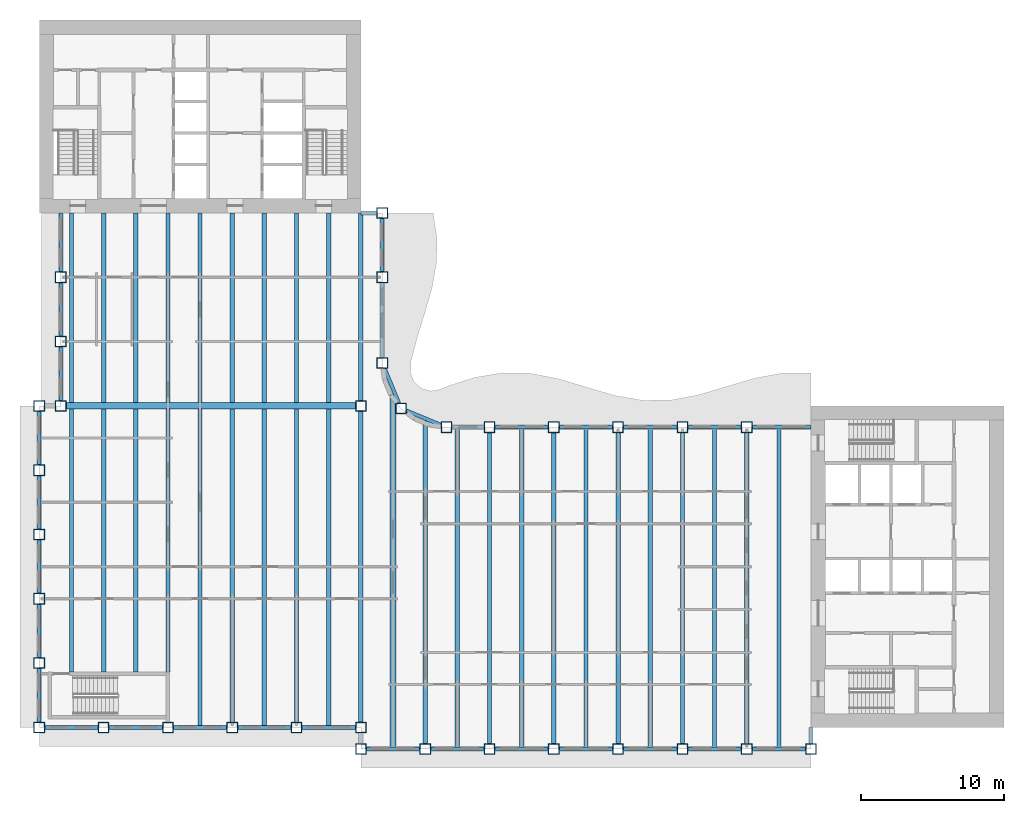
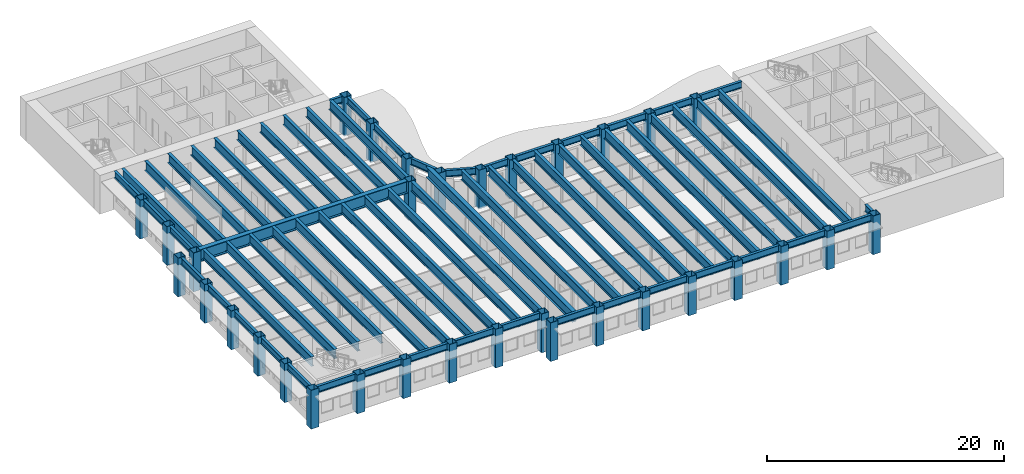
# One storey, part 1 of 17: 66 beams, 33 columns.
"""IFC4 building model written with IfcOpenShell, lengths in metres."""

import ifcopenshell
import ifcopenshell.guid

model = None  # the IFC model being written
_history = None  # IfcOwnerHistory: only IFC2X3 demands one
_inside = {}  # id of a spatial element -> (the spatial element, [elements in it])
_under = {}  # id of a project, library or spatial element -> (it, [spatial elements below it])
_declared = {}  # id of a project -> (the project, [libraries it declares])
_typed = {}  # id of a type object -> (the type object, [elements of that type])
_made_of = {}  # id of a material, layer set ... -> (it, [elements and type objects made of it])


def new_model(schema):
    """Start an empty IFC model of exactly this schema.

    Asked for "IFC4X3", IfcOpenShell would pick the latest addendum, in which some entities
    have other attributes; the version numbers below select the first issue.
    IFC2X3 requires an IfcOwnerHistory on every rooted entity: one is made here for all.
    """
    global model, _history
    if schema == "IFC4X3":
        model = ifcopenshell.file(schema_version=(4, 3, 0, 0))
    else:
        model = ifcopenshell.file(schema=schema)
    _inside.clear()
    _under.clear()
    _declared.clear()
    _typed.clear()
    _made_of.clear()
    _history = None
    if model.schema == "IFC2X3":
        org = make("IfcOrganization", Name="unknown")
        user = make(
            "IfcPersonAndOrganization",
            ThePerson=make("IfcPerson", FamilyName="unknown"),
            TheOrganization=org,
        )
        app = make(
            "IfcApplication",
            ApplicationDeveloper=org,
            Version="unknown",
            ApplicationFullName="unknown",
            ApplicationIdentifier="unknown",
        )
        _history = make(
            "IfcOwnerHistory",
            OwningUser=user,
            OwningApplication=app,
            ChangeAction="ADDED",
            CreationDate=0,
        )
    return model


def make(cls, **values):
    """One entity of the class cls with the attributes given. An attribute that is None is left unset."""
    return model.create_entity(
        cls, **{name: value for name, value in values.items() if value is not None}
    )


def rooted(cls, **values):
    """An entity with a GlobalId (a new one), such as an element, a storey or a relation."""
    return make(cls, GlobalId=ifcopenshell.guid.new(), OwnerHistory=_history, **values)


def si_unit(unit_type, name, prefix=None):
    """IfcSIUnit, for example si_unit("LENGTHUNIT", "METRE", prefix="MILLI")."""
    return make("IfcSIUnit", UnitType=unit_type, Prefix=prefix, Name=name)


def assignment(units):
    """IfcUnitAssignment: the units of a project."""
    return None if units is None else make("IfcUnitAssignment", Units=units)


def point(xyz):
    """IfcCartesianPoint."""
    return None if xyz is None else make("IfcCartesianPoint", Coordinates=xyz)


def direction(xyz):
    """IfcDirection."""
    return None if xyz is None else make("IfcDirection", DirectionRatios=xyz)


def frame(location, z_axis=None, x_axis=None):
    """IfcAxis2Placement3D, a coordinate frame: its origin and axes. An axis left out is left unset."""
    return make(
        "IfcAxis2Placement3D",
        Location=point(location),
        Axis=direction(z_axis),
        RefDirection=direction(x_axis),
    )


def frame_2d(location, x_axis=None):
    """IfcAxis2Placement2D, a coordinate frame in the plane: its origin and x axis."""
    return make(
        "IfcAxis2Placement2D", Location=point(location), RefDirection=direction(x_axis)
    )


def origin():
    """The frame at (0, 0, 0) with its axes left unset."""
    return frame((0.0, 0.0, 0.0))


def origin_2d():
    """The frame at (0, 0) in the plane with its x axis left unset."""
    return frame_2d((0.0, 0.0))


def place(relative_to, where):
    """IfcLocalPlacement: puts the frame where relative to a parent placement (None: the world)."""
    return make(
        "IfcLocalPlacement", PlacementRelTo=relative_to, RelativePlacement=where
    )


def context(
    kind, dimensions, precision=None, world=None, true_north=None, identifier=None
):
    """IfcGeometricRepresentationContext, for example the 3D "Model" context."""
    return make(
        "IfcGeometricRepresentationContext",
        ContextIdentifier=identifier,
        ContextType=kind,
        CoordinateSpaceDimension=dimensions,
        Precision=precision,
        WorldCoordinateSystem=world,
        TrueNorth=true_north,
    )


def subcontext(parent, identifier, kind, view, scale=None):
    """IfcGeometricRepresentationSubContext, for example "Body" below "Model"."""
    return make(
        "IfcGeometricRepresentationSubContext",
        ContextIdentifier=identifier,
        ContextType=kind,
        ParentContext=parent,
        TargetScale=scale,
        TargetView=view,
    )


def project(units=None, contexts=None):
    """IfcProject with its units and contexts."""
    return rooted(
        "IfcProject",
        Name="project",
        RepresentationContexts=contexts,
        UnitsInContext=assignment(units),
    )


def spatial(cls, under=None, at=None, **own):
    """A site, building, storey or space (cls), placed at a placement, below another one or the project."""
    s = rooted(cls, ObjectPlacement=at, **own)
    if under is not None:
        _under.setdefault(under.id(), (under, []))[1].append(s)
    return s


def profile(cls, at=None, kind="AREA", **sizes):
    """A parametric profile (cls). Its sizes go by their IFC names, for example OverallWidth=200.0."""
    return make(cls, ProfileType=kind, Position=at, **sizes)


def hollow_rectangle(**sizes):
    """IfcRectangleHollowProfileDef."""
    return profile("IfcRectangleHollowProfileDef", **sizes)


def i_section(**sizes):
    """IfcIShapeProfileDef."""
    return profile("IfcIShapeProfileDef", **sizes)


def extrude(swept, where, along, depth):
    """IfcExtrudedAreaSolid: the profile swept, set in the frame where, extruded along a direction by depth."""
    return make(
        "IfcExtrudedAreaSolid",
        SweptArea=swept,
        Position=where,
        ExtrudedDirection=direction(along),
        Depth=depth,
    )


def shape(context_of_items, identifier, shape_type, items):
    """IfcShapeRepresentation: the items that make up one representation, for example the "Body"."""
    return make(
        "IfcShapeRepresentation",
        ContextOfItems=context_of_items,
        RepresentationIdentifier=identifier,
        RepresentationType=shape_type,
        Items=items,
    )


def material(Name=None, Category=None):
    """IfcMaterial."""
    return make("IfcMaterial", Name=Name, Category=Category)


def material_profile(
    of_material, cross_section, Name=None, Category=None, Priority=None
):
    """IfcMaterialProfile: a cross section and its material."""
    return make(
        "IfcMaterialProfile",
        Name=Name,
        Material=of_material,
        Profile=cross_section,
        Priority=Priority,
        Category=Category,
    )


def profile_set(profiles, Name=None, composite=None):
    """IfcMaterialProfileSet."""
    return make(
        "IfcMaterialProfileSet",
        Name=Name,
        MaterialProfiles=profiles,
        CompositeProfile=composite,
    )


def made_of(thing, what):
    """Note that an element or type object is made of a material, layer set ...; save() writes the relation."""
    if what is not None:
        _made_of.setdefault(what.id(), (what, []))[1].append(thing)
    return thing


def type_object(cls, material=None, **own):
    """A type object (cls), such as IfcWallType, which elements share."""
    return made_of(rooted(cls, **own), material)


def element(
    cls,
    number,
    at=None,
    inside=None,
    cuts=None,
    type_object=None,
    material=None,
    context=None,
    identifier="Body",
    shape_type=None,
    held_by="IfcProductDefinitionShape",
    body=None,
    shapes=None,
    **own,
):
    """One element of the class cls, such as IfcWall. Its Tag is "e" and its number.

    at: its placement. inside: the storey or other place that contains it. cuts: it is an
    opening in that element (IfcRelVoidsElement). A single representation is given by context,
    identifier, shape_type and body (its items); several are given by shapes. held_by: the class
    of the entity that holds the representations. save() writes the other relations.
    """
    e = rooted(cls, Tag="e%d" % number, ObjectPlacement=at, **own)
    if body is not None:
        shapes = [shape(context, identifier, shape_type, body)]
    if shapes is not None:
        e.Representation = make(held_by, Representations=shapes)
    if inside is not None:
        _inside.setdefault(inside.id(), (inside, []))[1].append(e)
    if cuts is not None:
        rooted(
            "IfcRelVoidsElement", RelatingBuildingElement=cuts, RelatedOpeningElement=e
        )
    if type_object is not None:
        _typed.setdefault(type_object.id(), (type_object, []))[1].append(e)
    return made_of(e, material)


def aggregate(whole, parts):
    """IfcRelAggregates: a whole, such as a stair, and the parts it consists of."""
    return rooted("IfcRelAggregates", RelatingObject=whole, RelatedObjects=parts)


def save(model, path):
    """Write the relations noted so far, then the file.

    IfcRelAggregates (storeys below a building ...), IfcRelContainedInSpatialStructure (elements
    in a storey), IfcRelDefinesByType, IfcRelAssociatesMaterial and IfcRelDeclares: one each for
    every whole, place, type object, material and project.
    """
    for whole, parts in _under.values():
        aggregate(whole, parts)
    for where, things in _inside.values():
        rooted(
            "IfcRelContainedInSpatialStructure",
            RelatedElements=things,
            RelatingStructure=where,
        )
    for kind, things in _typed.values():
        rooted("IfcRelDefinesByType", RelatedObjects=things, RelatingType=kind)
    for what, things in _made_of.values():
        rooted("IfcRelAssociatesMaterial", RelatedObjects=things, RelatingMaterial=what)
    for by, libraries in _declared.values():
        rooted("IfcRelDeclares", RelatingContext=by, RelatedDefinitions=libraries)
    model.write(path)


model = new_model("IFC4")

# Units and contexts
model_context = context("Model", 3, precision=1e-05, world=origin(), true_north=direction((0.0, 1.0)))
body_context = subcontext(model_context, "Body", "Model", "MODEL_VIEW")
ifc_project = project(units=[si_unit("LENGTHUNIT", "METRE"), si_unit("AREAUNIT", "SQUARE_METRE"), si_unit("VOLUMEUNIT", "CUBIC_METRE"), si_unit("PLANEANGLEUNIT", "RADIAN"), si_unit("MASSUNIT", "GRAM", prefix="KILO")], contexts=[model_context])

# Site, building, storey
site_placement = place(None, origin())
site = spatial("IfcSite", under=ifc_project, at=site_placement, CompositionType="ELEMENT")
building_placement = place(site_placement, origin())
building = spatial("IfcBuilding", under=site, at=building_placement, Name="Sennacour Bend Tower", CompositionType="ELEMENT")
storey_placement = place(building_placement, frame((0.0, 0.0, 203.0)))
storey = spatial("IfcBuildingStorey", under=building, at=storey_placement, Name="L46", CompositionType="ELEMENT", Elevation=203.0)

# Columns
ifc_material_1 = material(Name="Steel ASTM A572 Grade 50", Category="steel")
ifc_material_profile_1 = material_profile(ifc_material_1, hollow_rectangle(XDim=0.75, YDim=0.75, WallThickness=0.035888671875, at=origin_2d()), Name="Steel ASTM A572 Grade 50", Category="steel")
ifc_profile_set_1 = profile_set([ifc_material_profile_1], Name="Steel ASTM A572 Grade 50")
column_type = type_object("IfcColumnType", Name="Box column 750", PredefinedType="COLUMN", material=ifc_profile_set_1)
for number, where, z_axis, x_axis, name in (
    (1, (0.0, 0.0, -0.14990234375), (0.0, 0.0, 1.0), (1.0, 0.0, 0.0), "Perimeter column C4 L46-001"),
    (2, (0.0, 4.5, -0.14990234375), (0.0, 0.0, 1.0), (1.0, 0.0, 0.0), "Perimeter column C4 L46-002"),
    (3, (0.0, 9.0, -0.14990234375), (0.0, 0.0, 1.0), (1.0, 0.0, 0.0), "Perimeter column C4 L46-003"),
    (4, (0.0, 13.5, -0.14990234375), (0.0, 0.0, 1.0), (1.0, 0.0, 0.0), "Perimeter column C4 L46-004"),
    (5, (0.0, 18.0, -0.14990234375), (0.0, 0.0, 1.0), (1.0, 0.0, 0.0), "Perimeter column C4 L46-005"),
    (6, (0.0, 22.5, -0.14990234375), (0.0, 0.0, 1.0), (1.0, 0.0, 0.0), "Perimeter column C4 L46-006"),
    (7, (1.5, 22.5, -0.14990234375), (0.0, 0.0, 1.0), (1.0, 0.0, 0.0), "Perimeter column C4 L46-007"),
    (8, (1.5, 27.0, -0.14990234375), (0.0, 0.0, 1.0), (1.0, 0.0, 0.0), "Perimeter column C4 L46-008"),
    (9, (1.5, 31.5, -0.14990234375), (0.0, 0.0, 1.0), (1.0, 0.0, 0.0), "Perimeter column C4 L46-009"),
    (10, (4.5, 0.0, -0.14990234375), (0.0, 0.0, 1.0), (1.0, 0.0, 0.0), "Perimeter column C4 L46-010"),
    (11, (9.0, 0.0, -0.14990234375), (0.0, 0.0, 1.0), (1.0, 0.0, 0.0), "Perimeter column C4 L46-011"),
    (12, (13.5, 0.0, -0.14990234375), (0.0, 0.0, 1.0), (1.0, 0.0, 0.0), "Perimeter column C4 L46-012"),
    (13, (18.0, 0.0, -0.14990234375), (0.0, 0.0, 1.0), (1.0, 0.0, 0.0), "Perimeter column C4 L46-013"),
    (14, (22.5, -1.5, -0.14990234375), (0.0, 0.0, 1.0), (1.0, 0.0, 0.0), "Perimeter column C4 L46-014"),
    (15, (22.5, 0.0, -0.14990234375), (0.0, 0.0, 1.0), (1.0, 0.0, 0.0), "Perimeter column C4 L46-015"),
    (16, (22.5, 22.5, -0.14990234375), (0.0, 0.0, 1.0), (1.0, 0.0, 0.0), "Knuckle column C4 L46-016"),
    (17, (24.0, 25.5, -0.14990234375), (0.0, 0.0, 1.0), (1.0, 0.0, 0.0), "Perimeter column C4 L46-017"),
    (18, (24.0, 31.5, -0.14990234375), (0.0, 0.0, 1.0), (1.0, 0.0, 0.0), "Perimeter column C4 L46-018"),
    (19, (24.0, 36.0, -0.14990234375), (0.0, 0.0, 1.0), (1.0, 0.0, 0.0), "Perimeter column C4 L46-019"),
    (20, (25.318115234375, 22.318115234375, -0.14990234375), (0.0, 0.0, 1.0), (1.0, 0.0, 0.0), "Perimeter column C4 L46-020"),
    (21, (27.0, -1.5, -0.14990234375), (0.0, 0.0, 1.0), (1.0, 0.0, 0.0), "Perimeter column C4 L46-021"),
    (22, (28.5, 21.0, -0.14990234375), (0.0, 0.0, 1.0), (1.0, 0.0, 0.0), "Perimeter column C4 L46-022"),
    (23, (31.5, -1.5, -0.14990234375), (0.0, 0.0, 1.0), (1.0, 0.0, 0.0), "Perimeter column C4 L46-023"),
    (24, (31.5, 21.0, -0.14990234375), (0.0, 0.0, 1.0), (1.0, 0.0, 0.0), "Perimeter column C4 L46-024"),
    (25, (36.0, -1.5, -0.14990234375), (0.0, 0.0, 1.0), (1.0, 0.0, 0.0), "Perimeter column C4 L46-025"),
    (26, (36.0, 21.0, -0.14990234375), (0.0, 0.0, 1.0), (1.0, 0.0, 0.0), "Perimeter column C4 L46-026"),
    (27, (40.5, -1.5, -0.14990234375), (0.0, 0.0, 1.0), (1.0, 0.0, 0.0), "Perimeter column C4 L46-027"),
    (28, (40.5, 21.0, -0.14990234375), (0.0, 0.0, 1.0), (1.0, 0.0, 0.0), "Perimeter column C4 L46-028"),
    (29, (45.0, -1.5, -0.14990234375), (0.0, 0.0, 1.0), (1.0, 0.0, 0.0), "Perimeter column C4 L46-029"),
    (30, (45.0, 21.0, -0.14990234375), (0.0, 0.0, 1.0), (1.0, 0.0, 0.0), "Perimeter column C4 L46-030"),
    (31, (49.5, -1.5, -0.14990234375), (0.0, 0.0, 1.0), (1.0, 0.0, 0.0), "Perimeter column C4 L46-031"),
    (32, (49.5, 21.0, -0.14990234375), (0.0, 0.0, 1.0), (1.0, 0.0, 0.0), "Perimeter column C4 L46-032"),
    (33, (54.0, -1.5, -0.14990234375), (0.0, 0.0, 1.0), (1.0, 0.0, 0.0), "Perimeter column C4 L46-033"),
):
    element("IfcColumn", number, at=place(storey_placement, frame(where, z_axis=z_axis, x_axis=x_axis)), inside=storey, type_object=column_type, Name=name, PredefinedType="COLUMN", context=body_context, shape_type="SweptSolid", body=[
        extrude(hollow_rectangle(XDim=0.75, YDim=0.75, WallThickness=0.035888671875, at=origin_2d()), origin(), (0.0, 0.0, 1.0), 4.0),
    ])

# Beams
ifc_material_2 = material(Name="Steel ASTM A992 Grade 50", Category="steel")
ifc_material_profile_2 = material_profile(ifc_material_2, i_section(OverallWidth=0.300048828125, OverallDepth=0.97998046875, WebThickness=0.0166015625, FlangeThickness=0.026123046875, FilletRadius=0.02978515625, at=origin_2d()), Name="Steel ASTM A992 Grade 50", Category="steel")
ifc_profile_set_2 = profile_set([ifc_material_profile_2], Name="Steel ASTM A992 Grade 50")
beam_type_1 = type_object("IfcBeamType", Name="Floor beam W1000X249", PredefinedType="BEAM", material=ifc_profile_set_2)
beam_1_placement = place(storey_placement, frame((2.25, 3.875, 3.360107421875), z_axis=(0.0, 1.0, 0.0), x_axis=(-1.0, 0.0, 0.0)))
element("IfcBeam", 34, at=beam_1_placement, inside=storey, type_object=beam_type_1, Name="Floor beam FBM2 L47-001", PredefinedType="BEAM", context=body_context, shape_type="SweptSolid", body=[
    extrude(i_section(OverallWidth=0.300048828125, OverallDepth=0.97998046875, WebThickness=0.0166015625, FlangeThickness=0.026123046875, FilletRadius=0.02978515625, at=origin_2d()), origin(), (0.0, 0.0, 1.0), 18.39990234375),
])
beam_2_placement = place(storey_placement, frame((2.25, 22.72509765625, 3.360107421875), z_axis=(0.0, 1.0, 0.0), x_axis=(-1.0, 0.0, 0.0)))
element("IfcBeam", 35, at=beam_2_placement, inside=storey, type_object=beam_type_1, Name="Floor beam FBM2 L47-002", PredefinedType="BEAM", context=body_context, shape_type="SweptSolid", body=[
    extrude(i_section(OverallWidth=0.300048828125, OverallDepth=0.97998046875, WebThickness=0.0166015625, FlangeThickness=0.026123046875, FilletRadius=0.02978515625, at=origin_2d()), origin(), (0.0, 0.0, 1.0), 13.27490234375),
])
beam_3_placement = place(storey_placement, frame((4.5, 3.875, 3.360107421875), z_axis=(0.0, 1.0, 0.0), x_axis=(-1.0, 0.0, 0.0)))
element("IfcBeam", 36, at=beam_3_placement, inside=storey, type_object=beam_type_1, Name="Floor beam FBM2 L47-003", PredefinedType="BEAM", context=body_context, shape_type="SweptSolid", body=[
    extrude(i_section(OverallWidth=0.300048828125, OverallDepth=0.97998046875, WebThickness=0.0166015625, FlangeThickness=0.026123046875, FilletRadius=0.02978515625, at=origin_2d()), origin(), (0.0, 0.0, 1.0), 18.39990234375),
])
beam_4_placement = place(storey_placement, frame((4.5, 22.72509765625, 3.360107421875), z_axis=(0.0, 1.0, 0.0), x_axis=(-1.0, 0.0, 0.0)))
element("IfcBeam", 37, at=beam_4_placement, inside=storey, type_object=beam_type_1, Name="Floor beam FBM2 L47-004", PredefinedType="BEAM", context=body_context, shape_type="SweptSolid", body=[
    extrude(i_section(OverallWidth=0.300048828125, OverallDepth=0.97998046875, WebThickness=0.0166015625, FlangeThickness=0.026123046875, FilletRadius=0.02978515625, at=origin_2d()), origin(), (0.0, 0.0, 1.0), 13.27490234375),
])
beam_5_placement = place(storey_placement, frame((6.75, 3.875, 3.360107421875), z_axis=(0.0, 1.0, 0.0), x_axis=(-1.0, 0.0, 0.0)))
element("IfcBeam", 38, at=beam_5_placement, inside=storey, type_object=beam_type_1, Name="Floor beam FBM2 L47-005", PredefinedType="BEAM", context=body_context, shape_type="SweptSolid", body=[
    extrude(i_section(OverallWidth=0.300048828125, OverallDepth=0.97998046875, WebThickness=0.0166015625, FlangeThickness=0.026123046875, FilletRadius=0.02978515625, at=origin_2d()), origin(), (0.0, 0.0, 1.0), 18.39990234375),
])
beam_6_placement = place(storey_placement, frame((6.75, 22.72509765625, 3.360107421875), z_axis=(0.0, 1.0, 0.0), x_axis=(-1.0, 0.0, 0.0)))
element("IfcBeam", 39, at=beam_6_placement, inside=storey, type_object=beam_type_1, Name="Floor beam FBM2 L47-006", PredefinedType="BEAM", context=body_context, shape_type="SweptSolid", body=[
    extrude(i_section(OverallWidth=0.300048828125, OverallDepth=0.97998046875, WebThickness=0.0166015625, FlangeThickness=0.026123046875, FilletRadius=0.02978515625, at=origin_2d()), origin(), (0.0, 0.0, 1.0), 13.27490234375),
])
beam_7_placement = place(storey_placement, frame((9.0, 3.875, 3.360107421875), z_axis=(0.0, 1.0, 0.0), x_axis=(-1.0, 0.0, 0.0)))
element("IfcBeam", 40, at=beam_7_placement, inside=storey, type_object=beam_type_1, Name="Floor beam FBM2 L47-007", PredefinedType="BEAM", context=body_context, shape_type="SweptSolid", body=[
    extrude(i_section(OverallWidth=0.300048828125, OverallDepth=0.97998046875, WebThickness=0.0166015625, FlangeThickness=0.026123046875, FilletRadius=0.02978515625, at=origin_2d()), origin(), (0.0, 0.0, 1.0), 18.39990234375),
])
beam_8_placement = place(storey_placement, frame((9.0, 22.72509765625, 3.360107421875), z_axis=(0.0, 1.0, 0.0), x_axis=(-1.0, 0.0, 0.0)))
element("IfcBeam", 41, at=beam_8_placement, inside=storey, type_object=beam_type_1, Name="Floor beam FBM2 L47-008", PredefinedType="BEAM", context=body_context, shape_type="SweptSolid", body=[
    extrude(i_section(OverallWidth=0.300048828125, OverallDepth=0.97998046875, WebThickness=0.0166015625, FlangeThickness=0.026123046875, FilletRadius=0.02978515625, at=origin_2d()), origin(), (0.0, 0.0, 1.0), 13.27490234375),
])
beam_9_placement = place(storey_placement, frame((11.25, 0.12841796875, 3.360107421875), z_axis=(0.0, 1.0, 0.0), x_axis=(-1.0, 0.0, 0.0)))
element("IfcBeam", 42, at=beam_9_placement, inside=storey, type_object=beam_type_1, Name="Floor beam FBM2 L47-009", PredefinedType="BEAM", context=body_context, shape_type="SweptSolid", body=[
    extrude(i_section(OverallWidth=0.300048828125, OverallDepth=0.97998046875, WebThickness=0.0166015625, FlangeThickness=0.026123046875, FilletRadius=0.02978515625, at=origin_2d()), origin(), (0.0, 0.0, 1.0), 22.146484375),
])
beam_10_placement = place(storey_placement, frame((11.25, 22.72509765625, 3.360107421875), z_axis=(0.0, 1.0, 0.0), x_axis=(-1.0, 0.0, 0.0)))
element("IfcBeam", 43, at=beam_10_placement, inside=storey, type_object=beam_type_1, Name="Floor beam FBM2 L47-010", PredefinedType="BEAM", context=body_context, shape_type="SweptSolid", body=[
    extrude(i_section(OverallWidth=0.300048828125, OverallDepth=0.97998046875, WebThickness=0.0166015625, FlangeThickness=0.026123046875, FilletRadius=0.02978515625, at=origin_2d()), origin(), (0.0, 0.0, 1.0), 13.27490234375),
])
beam_11_placement = place(storey_placement, frame((13.5, 0.375, 3.360107421875), z_axis=(0.0, 1.0, 0.0), x_axis=(-1.0, 0.0, 0.0)))
element("IfcBeam", 44, at=beam_11_placement, inside=storey, type_object=beam_type_1, Name="Floor beam FBM2 L47-011", PredefinedType="BEAM", context=body_context, shape_type="SweptSolid", body=[
    extrude(i_section(OverallWidth=0.300048828125, OverallDepth=0.97998046875, WebThickness=0.0166015625, FlangeThickness=0.026123046875, FilletRadius=0.02978515625, at=origin_2d()), origin(), (0.0, 0.0, 1.0), 21.89990234375),
])
beam_12_placement = place(storey_placement, frame((13.5, 22.72509765625, 3.360107421875), z_axis=(0.0, 1.0, 0.0), x_axis=(-1.0, 0.0, 0.0)))
element("IfcBeam", 45, at=beam_12_placement, inside=storey, type_object=beam_type_1, Name="Floor beam FBM2 L47-012", PredefinedType="BEAM", context=body_context, shape_type="SweptSolid", body=[
    extrude(i_section(OverallWidth=0.300048828125, OverallDepth=0.97998046875, WebThickness=0.0166015625, FlangeThickness=0.026123046875, FilletRadius=0.02978515625, at=origin_2d()), origin(), (0.0, 0.0, 1.0), 13.27490234375),
])
beam_13_placement = place(storey_placement, frame((15.75, 0.12841796875, 3.360107421875), z_axis=(0.0, 1.0, 0.0), x_axis=(-1.0, 0.0, 0.0)))
element("IfcBeam", 46, at=beam_13_placement, inside=storey, type_object=beam_type_1, Name="Floor beam FBM2 L47-013", PredefinedType="BEAM", context=body_context, shape_type="SweptSolid", body=[
    extrude(i_section(OverallWidth=0.300048828125, OverallDepth=0.97998046875, WebThickness=0.0166015625, FlangeThickness=0.026123046875, FilletRadius=0.02978515625, at=origin_2d()), origin(), (0.0, 0.0, 1.0), 22.146484375),
])
beam_14_placement = place(storey_placement, frame((15.75, 22.72509765625, 3.360107421875), z_axis=(0.0, 1.0, 0.0), x_axis=(-1.0, 0.0, 0.0)))
element("IfcBeam", 47, at=beam_14_placement, inside=storey, type_object=beam_type_1, Name="Floor beam FBM2 L47-014", PredefinedType="BEAM", context=body_context, shape_type="SweptSolid", body=[
    extrude(i_section(OverallWidth=0.300048828125, OverallDepth=0.97998046875, WebThickness=0.0166015625, FlangeThickness=0.026123046875, FilletRadius=0.02978515625, at=origin_2d()), origin(), (0.0, 0.0, 1.0), 13.27490234375),
])
beam_15_placement = place(storey_placement, frame((18.0, 0.375, 3.360107421875), z_axis=(0.0, 1.0, 0.0), x_axis=(-1.0, 0.0, 0.0)))
element("IfcBeam", 48, at=beam_15_placement, inside=storey, type_object=beam_type_1, Name="Floor beam FBM2 L47-015", PredefinedType="BEAM", context=body_context, shape_type="SweptSolid", body=[
    extrude(i_section(OverallWidth=0.300048828125, OverallDepth=0.97998046875, WebThickness=0.0166015625, FlangeThickness=0.026123046875, FilletRadius=0.02978515625, at=origin_2d()), origin(), (0.0, 0.0, 1.0), 21.89990234375),
])
beam_16_placement = place(storey_placement, frame((18.0, 22.72509765625, 3.360107421875), z_axis=(0.0, 1.0, 0.0), x_axis=(-1.0, 0.0, 0.0)))
element("IfcBeam", 49, at=beam_16_placement, inside=storey, type_object=beam_type_1, Name="Floor beam FBM2 L47-016", PredefinedType="BEAM", context=body_context, shape_type="SweptSolid", body=[
    extrude(i_section(OverallWidth=0.300048828125, OverallDepth=0.97998046875, WebThickness=0.0166015625, FlangeThickness=0.026123046875, FilletRadius=0.02978515625, at=origin_2d()), origin(), (0.0, 0.0, 1.0), 13.27490234375),
])
beam_17_placement = place(storey_placement, frame((20.25, 0.12841796875, 3.360107421875), z_axis=(0.0, 1.0, 0.0), x_axis=(-1.0, 0.0, 0.0)))
element("IfcBeam", 50, at=beam_17_placement, inside=storey, type_object=beam_type_1, Name="Floor beam FBM2 L47-017", PredefinedType="BEAM", context=body_context, shape_type="SweptSolid", body=[
    extrude(i_section(OverallWidth=0.300048828125, OverallDepth=0.97998046875, WebThickness=0.0166015625, FlangeThickness=0.026123046875, FilletRadius=0.02978515625, at=origin_2d()), origin(), (0.0, 0.0, 1.0), 22.146484375),
])
beam_18_placement = place(storey_placement, frame((20.25, 22.72509765625, 3.360107421875), z_axis=(0.0, 1.0, 0.0), x_axis=(-1.0, 0.0, 0.0)))
element("IfcBeam", 51, at=beam_18_placement, inside=storey, type_object=beam_type_1, Name="Floor beam FBM2 L47-018", PredefinedType="BEAM", context=body_context, shape_type="SweptSolid", body=[
    extrude(i_section(OverallWidth=0.300048828125, OverallDepth=0.97998046875, WebThickness=0.0166015625, FlangeThickness=0.026123046875, FilletRadius=0.02978515625, at=origin_2d()), origin(), (0.0, 0.0, 1.0), 13.27490234375),
])
beam_19_placement = place(storey_placement, frame((22.5, 0.375, 3.360107421875), z_axis=(0.0, 1.0, 0.0), x_axis=(-1.0, 0.0, 0.0)))
element("IfcBeam", 52, at=beam_19_placement, inside=storey, type_object=beam_type_1, Name="Floor beam FBM2 L47-019", PredefinedType="BEAM", context=body_context, shape_type="SweptSolid", body=[
    extrude(i_section(OverallWidth=0.300048828125, OverallDepth=0.97998046875, WebThickness=0.0166015625, FlangeThickness=0.026123046875, FilletRadius=0.02978515625, at=origin_2d()), origin(), (0.0, 0.0, 1.0), 21.75),
])
beam_20_placement = place(storey_placement, frame((22.5, 22.875, 3.360107421875), z_axis=(0.0, 1.0, 0.0), x_axis=(-1.0, 0.0, 0.0)))
element("IfcBeam", 53, at=beam_20_placement, inside=storey, type_object=beam_type_1, Name="Floor beam FBM2 L47-020", PredefinedType="BEAM", context=body_context, shape_type="SweptSolid", body=[
    extrude(i_section(OverallWidth=0.300048828125, OverallDepth=0.97998046875, WebThickness=0.0166015625, FlangeThickness=0.026123046875, FilletRadius=0.02978515625, at=origin_2d()), origin(), (0.0, 0.0, 1.0), 13.125),
])
beam_21_placement = place(storey_placement, frame((27.0, -1.125, 3.360107421875), z_axis=(0.0, 1.0, 0.0), x_axis=(-1.0, 0.0, 0.0)))
element("IfcBeam", 54, at=beam_21_placement, inside=storey, type_object=beam_type_1, Name="Floor beam FBM2 L47-022", PredefinedType="BEAM", context=body_context, shape_type="SweptSolid", body=[
    extrude(i_section(OverallWidth=0.300048828125, OverallDepth=0.97998046875, WebThickness=0.0166015625, FlangeThickness=0.026123046875, FilletRadius=0.02978515625, at=origin_2d()), origin(), (0.0, 0.0, 1.0), 22.607177734375),
])
beam_22_placement = place(storey_placement, frame((29.25, -1.37158203125, 3.360107421875), z_axis=(0.0, 1.0, 0.0), x_axis=(-1.0, 0.0, 0.0)))
element("IfcBeam", 55, at=beam_22_placement, inside=storey, type_object=beam_type_1, Name="Floor beam FBM2 L47-023", PredefinedType="BEAM", context=body_context, shape_type="SweptSolid", body=[
    extrude(i_section(OverallWidth=0.300048828125, OverallDepth=0.97998046875, WebThickness=0.0166015625, FlangeThickness=0.026123046875, FilletRadius=0.02978515625, at=origin_2d()), origin(), (0.0, 0.0, 1.0), 22.2431640625),
])
beam_23_placement = place(storey_placement, frame((31.5, -1.125, 3.360107421875), z_axis=(0.0, 1.0, 0.0), x_axis=(-1.0, 0.0, 0.0)))
element("IfcBeam", 56, at=beam_23_placement, inside=storey, type_object=beam_type_1, Name="Floor beam FBM2 L47-024", PredefinedType="BEAM", context=body_context, shape_type="SweptSolid", body=[
    extrude(i_section(OverallWidth=0.300048828125, OverallDepth=0.97998046875, WebThickness=0.0166015625, FlangeThickness=0.026123046875, FilletRadius=0.02978515625, at=origin_2d()), origin(), (0.0, 0.0, 1.0), 21.75),
])
beam_24_placement = place(storey_placement, frame((33.75, -1.37158203125, 3.360107421875), z_axis=(0.0, 1.0, 0.0), x_axis=(-1.0, 0.0, 0.0)))
element("IfcBeam", 57, at=beam_24_placement, inside=storey, type_object=beam_type_1, Name="Floor beam FBM2 L47-025", PredefinedType="BEAM", context=body_context, shape_type="SweptSolid", body=[
    extrude(i_section(OverallWidth=0.300048828125, OverallDepth=0.97998046875, WebThickness=0.0166015625, FlangeThickness=0.026123046875, FilletRadius=0.02978515625, at=origin_2d()), origin(), (0.0, 0.0, 1.0), 22.2431640625),
])
beam_25_placement = place(storey_placement, frame((36.0, -1.125, 3.360107421875), z_axis=(0.0, 1.0, 0.0), x_axis=(-1.0, 0.0, 0.0)))
element("IfcBeam", 58, at=beam_25_placement, inside=storey, type_object=beam_type_1, Name="Floor beam FBM2 L47-026", PredefinedType="BEAM", context=body_context, shape_type="SweptSolid", body=[
    extrude(i_section(OverallWidth=0.300048828125, OverallDepth=0.97998046875, WebThickness=0.0166015625, FlangeThickness=0.026123046875, FilletRadius=0.02978515625, at=origin_2d()), origin(), (0.0, 0.0, 1.0), 21.75),
])
beam_26_placement = place(storey_placement, frame((38.25, -1.37158203125, 3.360107421875), z_axis=(0.0, 1.0, 0.0), x_axis=(-1.0, 0.0, 0.0)))
element("IfcBeam", 59, at=beam_26_placement, inside=storey, type_object=beam_type_1, Name="Floor beam FBM2 L47-027", PredefinedType="BEAM", context=body_context, shape_type="SweptSolid", body=[
    extrude(i_section(OverallWidth=0.300048828125, OverallDepth=0.97998046875, WebThickness=0.0166015625, FlangeThickness=0.026123046875, FilletRadius=0.02978515625, at=origin_2d()), origin(), (0.0, 0.0, 1.0), 22.2431640625),
])
beam_27_placement = place(storey_placement, frame((40.5, -1.125, 3.360107421875), z_axis=(0.0, 1.0, 0.0), x_axis=(-1.0, 0.0, 0.0)))
element("IfcBeam", 60, at=beam_27_placement, inside=storey, type_object=beam_type_1, Name="Floor beam FBM2 L47-028", PredefinedType="BEAM", context=body_context, shape_type="SweptSolid", body=[
    extrude(i_section(OverallWidth=0.300048828125, OverallDepth=0.97998046875, WebThickness=0.0166015625, FlangeThickness=0.026123046875, FilletRadius=0.02978515625, at=origin_2d()), origin(), (0.0, 0.0, 1.0), 21.75),
])
beam_28_placement = place(storey_placement, frame((42.75, -1.37158203125, 3.360107421875), z_axis=(0.0, 1.0, 0.0), x_axis=(-1.0, 0.0, 0.0)))
element("IfcBeam", 61, at=beam_28_placement, inside=storey, type_object=beam_type_1, Name="Floor beam FBM2 L47-029", PredefinedType="BEAM", context=body_context, shape_type="SweptSolid", body=[
    extrude(i_section(OverallWidth=0.300048828125, OverallDepth=0.97998046875, WebThickness=0.0166015625, FlangeThickness=0.026123046875, FilletRadius=0.02978515625, at=origin_2d()), origin(), (0.0, 0.0, 1.0), 22.2431640625),
])
beam_29_placement = place(storey_placement, frame((45.0, -1.125, 3.360107421875), z_axis=(0.0, 1.0, 0.0), x_axis=(-1.0, 0.0, 0.0)))
element("IfcBeam", 62, at=beam_29_placement, inside=storey, type_object=beam_type_1, Name="Floor beam FBM2 L47-030", PredefinedType="BEAM", context=body_context, shape_type="SweptSolid", body=[
    extrude(i_section(OverallWidth=0.300048828125, OverallDepth=0.97998046875, WebThickness=0.0166015625, FlangeThickness=0.026123046875, FilletRadius=0.02978515625, at=origin_2d()), origin(), (0.0, 0.0, 1.0), 21.75),
])
beam_30_placement = place(storey_placement, frame((47.25, -1.37158203125, 3.360107421875), z_axis=(0.0, 1.0, 0.0), x_axis=(-1.0, 0.0, 0.0)))
element("IfcBeam", 63, at=beam_30_placement, inside=storey, type_object=beam_type_1, Name="Floor beam FBM2 L47-031", PredefinedType="BEAM", context=body_context, shape_type="SweptSolid", body=[
    extrude(i_section(OverallWidth=0.300048828125, OverallDepth=0.97998046875, WebThickness=0.0166015625, FlangeThickness=0.026123046875, FilletRadius=0.02978515625, at=origin_2d()), origin(), (0.0, 0.0, 1.0), 22.2431640625),
])
beam_31_placement = place(storey_placement, frame((49.5, -1.125, 3.360107421875), z_axis=(0.0, 1.0, 0.0), x_axis=(-1.0, 0.0, 0.0)))
element("IfcBeam", 64, at=beam_31_placement, inside=storey, type_object=beam_type_1, Name="Floor beam FBM2 L47-032", PredefinedType="BEAM", context=body_context, shape_type="SweptSolid", body=[
    extrude(i_section(OverallWidth=0.300048828125, OverallDepth=0.97998046875, WebThickness=0.0166015625, FlangeThickness=0.026123046875, FilletRadius=0.02978515625, at=origin_2d()), origin(), (0.0, 0.0, 1.0), 21.75),
])
beam_32_placement = place(storey_placement, frame((51.75, -1.37158203125, 3.360107421875), z_axis=(0.0, 1.0, 0.0), x_axis=(-1.0, 0.0, 0.0)))
element("IfcBeam", 65, at=beam_32_placement, inside=storey, type_object=beam_type_1, Name="Floor beam FBM2 L47-033", PredefinedType="BEAM", context=body_context, shape_type="SweptSolid", body=[
    extrude(i_section(OverallWidth=0.300048828125, OverallDepth=0.97998046875, WebThickness=0.0166015625, FlangeThickness=0.026123046875, FilletRadius=0.02978515625, at=origin_2d()), origin(), (0.0, 0.0, 1.0), 22.2431640625),
])
ifc_material_profile_3 = material_profile(ifc_material_1, i_section(OverallWidth=0.449951171875, OverallDepth=1.25, WebThickness=0.028076171875, FlangeThickness=0.050048828125, at=origin_2d()), Name="Steel ASTM A572 Grade 50", Category="steel")
ifc_profile_set_3 = profile_set([ifc_material_profile_3], Name="Steel ASTM A572 Grade 50")
beam_type_2 = type_object("IfcBeamType", Name="Knuckle girder 1250", PredefinedType="USERDEFINED", material=ifc_profile_set_3)
beam_33_placement = place(storey_placement, frame((1.875, 22.5, 3.22509765625), z_axis=(1.0, 0.0, 0.0), x_axis=(0.0, 1.0, 0.0)))
element("IfcBeam", 66, at=beam_33_placement, inside=storey, type_object=beam_type_2, Name="Knuckle girder GK L47-001", ObjectType="KNUCKLE GIRDER", PredefinedType="USERDEFINED", context=body_context, shape_type="SweptSolid", body=[
    extrude(i_section(OverallWidth=0.449951171875, OverallDepth=1.25, WebThickness=0.028076171875, FlangeThickness=0.050048828125, at=origin_2d()), origin(), (0.0, 0.0, 1.0), 20.25),
])
ifc_material_profile_4 = material_profile(ifc_material_2, i_section(OverallWidth=0.40087890625, OverallDepth=1.090087890625, WebThickness=0.01806640625, FlangeThickness=0.031005859375, FilletRadius=0.02001953125, at=origin_2d()), Name="Steel ASTM A992 Grade 50", Category="steel")
ifc_profile_set_4 = profile_set([ifc_material_profile_4], Name="Steel ASTM A992 Grade 50")
beam_type_3 = type_object("IfcBeamType", Name="Notch floor beam W1100X343", PredefinedType="BEAM", material=ifc_profile_set_4)
beam_34_placement = place(storey_placement, frame((24.75, -1.37158203125, 3.304931640625), z_axis=(0.0, 1.0, 0.0), x_axis=(-1.0, 0.0, 0.0)))
element("IfcBeam", 67, at=beam_34_placement, inside=storey, type_object=beam_type_3, Name="Floor beam FBM4 L47-021", PredefinedType="BEAM", context=body_context, shape_type="SweptSolid", body=[
    extrude(i_section(OverallWidth=0.40087890625, OverallDepth=1.090087890625, WebThickness=0.01806640625, FlangeThickness=0.031005859375, FilletRadius=0.02001953125, at=origin_2d()), origin(), (0.0, 0.0, 1.0), 24.72509765625),
])
ifc_material_profile_5 = material_profile(ifc_material_2, i_section(OverallWidth=0.257080078125, OverallDepth=0.693115234375, WebThickness=0.014404296875, FlangeThickness=0.023681640625, FilletRadius=0.015380859375, at=origin_2d()), Name="Steel ASTM A992 Grade 50", Category="steel")
ifc_profile_set_5 = profile_set([ifc_material_profile_5], Name="Steel ASTM A992 Grade 50")
beam_type_4 = type_object("IfcBeamType", Name="Spandrel beam W690X170", PredefinedType="SPANDREL", material=ifc_profile_set_5)
for number, where, z_axis, x_axis, name in (
    (68, (22.125, 0.0, 3.50341796875), (-1.0, 0.0, 0.0), (0.0, -1.0, 0.0), "Spandrel beam SP5 L47-001"),
    (69, (17.625, 0.0, 3.50341796875), (-1.0, 0.0, 0.0), (0.0, -1.0, 0.0), "Spandrel beam SP5 L47-002"),
    (70, (13.125, 0.0, 3.50341796875), (-1.0, 0.0, 0.0), (0.0, -1.0, 0.0), "Spandrel beam SP5 L47-003"),
    (71, (8.625, 0.0, 3.50341796875), (-1.0, 0.0, 0.0), (0.0, -1.0, 0.0), "Spandrel beam SP5 L47-004"),
    (72, (4.125, 0.0, 3.50341796875), (-1.0, 0.0, 0.0), (0.0, -1.0, 0.0), "Spandrel beam SP5 L47-005"),
    (73, (0.0, 0.375, 3.50341796875), (0.0, 1.0, 0.0), (-1.0, 0.0, 0.0), "Spandrel beam SP5 L47-006"),
    (74, (0.0, 4.875, 3.50341796875), (0.0, 1.0, 0.0), (-1.0, 0.0, 0.0), "Spandrel beam SP5 L47-007"),
    (75, (0.0, 9.375, 3.50341796875), (0.0, 1.0, 0.0), (-1.0, 0.0, 0.0), "Spandrel beam SP5 L47-008"),
    (76, (0.0, 13.875, 3.50341796875), (0.0, 1.0, 0.0), (-1.0, 0.0, 0.0), "Spandrel beam SP5 L47-009"),
    (77, (0.0, 18.375, 3.50341796875), (0.0, 1.0, 0.0), (-1.0, 0.0, 0.0), "Spandrel beam SP5 L47-010"),
    (78, (1.5, 22.875, 3.50341796875), (0.0, 1.0, 0.0), (-1.0, 0.0, 0.0), "Spandrel beam SP5 L47-011"),
    (79, (1.5, 27.375, 3.50341796875), (0.0, 1.0, 0.0), (-1.0, 0.0, 0.0), "Spandrel beam SP5 L47-012"),
):
    element("IfcBeam", number, at=place(storey_placement, frame(where, z_axis=z_axis, x_axis=x_axis)), inside=storey, type_object=beam_type_4, Name=name, PredefinedType="SPANDREL", context=body_context, shape_type="SweptSolid", body=[
        extrude(i_section(OverallWidth=0.257080078125, OverallDepth=0.693115234375, WebThickness=0.014404296875, FlangeThickness=0.023681640625, FilletRadius=0.015380859375, at=origin_2d()), origin(), (0.0, 0.0, 1.0), 3.75),
    ])
beam_35_placement = place(storey_placement, frame((1.5, 31.875, 3.50341796875), z_axis=(0.0, 1.0, 0.0), x_axis=(-1.0, 0.0, 0.0)))
element("IfcBeam", 80, at=beam_35_placement, inside=storey, type_object=beam_type_4, Name="Spandrel beam SP5 L47-013", PredefinedType="SPANDREL", context=body_context, shape_type="SweptSolid", body=[
    extrude(i_section(OverallWidth=0.257080078125, OverallDepth=0.693115234375, WebThickness=0.014404296875, FlangeThickness=0.023681640625, FilletRadius=0.015380859375, at=origin_2d()), origin(), (0.0, 0.0, 1.0), 4.125),
])
beam_36_placement = place(storey_placement, frame((22.5, 36.0, 3.50341796875), z_axis=(1.0, 0.0, 0.0), x_axis=(0.0, 1.0, 0.0)))
element("IfcBeam", 81, at=beam_36_placement, inside=storey, type_object=beam_type_4, Name="Spandrel beam SP5 L47-014", PredefinedType="SPANDREL", context=body_context, shape_type="SweptSolid", body=[
    extrude(i_section(OverallWidth=0.257080078125, OverallDepth=0.693115234375, WebThickness=0.014404296875, FlangeThickness=0.023681640625, FilletRadius=0.015380859375, at=origin_2d()), origin(), (0.0, 0.0, 1.0), 1.125),
])
beam_37_placement = place(storey_placement, frame((24.0, 35.625, 3.50341796875), z_axis=(0.0, -1.0, 0.0), x_axis=(1.0, 0.0, 0.0)))
element("IfcBeam", 82, at=beam_37_placement, inside=storey, type_object=beam_type_4, Name="Spandrel beam SP5 L47-015", PredefinedType="SPANDREL", context=body_context, shape_type="SweptSolid", body=[
    extrude(i_section(OverallWidth=0.257080078125, OverallDepth=0.693115234375, WebThickness=0.014404296875, FlangeThickness=0.023681640625, FilletRadius=0.015380859375, at=origin_2d()), origin(), (0.0, 0.0, 1.0), 3.75),
])
beam_38_placement = place(storey_placement, frame((24.0, 31.125, 3.50341796875), z_axis=(0.0, -1.0, 0.0), x_axis=(1.0, 0.0, 0.0)))
element("IfcBeam", 83, at=beam_38_placement, inside=storey, type_object=beam_type_4, Name="Spandrel beam SP5 L47-016", PredefinedType="SPANDREL", context=body_context, shape_type="SweptSolid", body=[
    extrude(i_section(OverallWidth=0.257080078125, OverallDepth=0.693115234375, WebThickness=0.014404296875, FlangeThickness=0.023681640625, FilletRadius=0.015380859375, at=origin_2d()), origin(), (0.0, 0.0, 1.0), 5.25),
])
for number, where, z_axis, x_axis, name in (
    (84, (24.1552734375, 25.125, 3.50341796875), (0.382684913195, -0.92387891913, 0.0), (0.92387891913, 0.382684913195, 0.0), "Spandrel beam SP5 L47-017"),
    (85, (25.693115234375, 22.16259765625, 3.50341796875), (0.92387891913, -0.382684913195, 0.0), (0.382684913195, 0.92387891913, 0.0), "Spandrel beam SP5 L47-018"),
):
    element("IfcBeam", number, at=place(storey_placement, frame(where, z_axis=z_axis, x_axis=x_axis)), inside=storey, type_object=beam_type_4, Name=name, PredefinedType="SPANDREL", context=body_context, shape_type="SweptSolid", body=[
        extrude(i_section(OverallWidth=0.257080078125, OverallDepth=0.693115234375, WebThickness=0.014404296875, FlangeThickness=0.023681640625, FilletRadius=0.015380859375, at=origin_2d()), origin(), (0.0, 0.0, 1.0), 2.63232421875),
    ])
beam_39_placement = place(storey_placement, frame((28.875, 21.0, 3.50341796875), z_axis=(1.0, 0.0, 0.0), x_axis=(0.0, 1.0, 0.0)))
element("IfcBeam", 86, at=beam_39_placement, inside=storey, type_object=beam_type_4, Name="Spandrel beam SP5 L47-019", PredefinedType="SPANDREL", context=body_context, shape_type="SweptSolid", body=[
    extrude(i_section(OverallWidth=0.257080078125, OverallDepth=0.693115234375, WebThickness=0.014404296875, FlangeThickness=0.023681640625, FilletRadius=0.015380859375, at=origin_2d()), origin(), (0.0, 0.0, 1.0), 2.25),
])
for number, where, z_axis, x_axis, name in (
    (87, (31.875, 21.0, 3.50341796875), (1.0, 0.0, 0.0), (0.0, 1.0, 0.0), "Spandrel beam SP5 L47-020"),
    (88, (36.375, 21.0, 3.50341796875), (1.0, 0.0, 0.0), (0.0, 1.0, 0.0), "Spandrel beam SP5 L47-021"),
    (89, (40.875, 21.0, 3.50341796875), (1.0, 0.0, 0.0), (0.0, 1.0, 0.0), "Spandrel beam SP5 L47-022"),
    (90, (45.375, 21.0, 3.50341796875), (1.0, 0.0, 0.0), (0.0, 1.0, 0.0), "Spandrel beam SP5 L47-023"),
):
    element("IfcBeam", number, at=place(storey_placement, frame(where, z_axis=z_axis, x_axis=x_axis)), inside=storey, type_object=beam_type_4, Name=name, PredefinedType="SPANDREL", context=body_context, shape_type="SweptSolid", body=[
        extrude(i_section(OverallWidth=0.257080078125, OverallDepth=0.693115234375, WebThickness=0.014404296875, FlangeThickness=0.023681640625, FilletRadius=0.015380859375, at=origin_2d()), origin(), (0.0, 0.0, 1.0), 3.75),
    ])
beam_40_placement = place(storey_placement, frame((49.875, 21.0, 3.50341796875), z_axis=(1.0, 0.0, 0.0), x_axis=(0.0, 1.0, 0.0)))
element("IfcBeam", 91, at=beam_40_placement, inside=storey, type_object=beam_type_4, Name="Spandrel beam SP5 L47-024", PredefinedType="SPANDREL", context=body_context, shape_type="SweptSolid", body=[
    extrude(i_section(OverallWidth=0.257080078125, OverallDepth=0.693115234375, WebThickness=0.014404296875, FlangeThickness=0.023681640625, FilletRadius=0.015380859375, at=origin_2d()), origin(), (0.0, 0.0, 1.0), 4.125),
])
beam_41_placement = place(storey_placement, frame((54.0, 0.0, 3.50341796875), z_axis=(0.0, -1.0, 0.0), x_axis=(1.0, 0.0, 0.0)))
element("IfcBeam", 92, at=beam_41_placement, inside=storey, type_object=beam_type_4, Name="Spandrel beam SP5 L47-025", PredefinedType="SPANDREL", context=body_context, shape_type="SweptSolid", body=[
    extrude(i_section(OverallWidth=0.257080078125, OverallDepth=0.693115234375, WebThickness=0.014404296875, FlangeThickness=0.023681640625, FilletRadius=0.015380859375, at=origin_2d()), origin(), (0.0, 0.0, 1.0), 1.125),
])
for number, where, z_axis, x_axis, name in (
    (93, (53.625, -1.5, 3.50341796875), (-1.0, 0.0, 0.0), (0.0, -1.0, 0.0), "Spandrel beam SP5 L47-026"),
    (94, (49.125, -1.5, 3.50341796875), (-1.0, 0.0, 0.0), (0.0, -1.0, 0.0), "Spandrel beam SP5 L47-027"),
    (95, (44.625, -1.5, 3.50341796875), (-1.0, 0.0, 0.0), (0.0, -1.0, 0.0), "Spandrel beam SP5 L47-028"),
    (96, (40.125, -1.5, 3.50341796875), (-1.0, 0.0, 0.0), (0.0, -1.0, 0.0), "Spandrel beam SP5 L47-029"),
    (97, (35.625, -1.5, 3.50341796875), (-1.0, 0.0, 0.0), (0.0, -1.0, 0.0), "Spandrel beam SP5 L47-030"),
    (98, (31.125, -1.5, 3.50341796875), (-1.0, 0.0, 0.0), (0.0, -1.0, 0.0), "Spandrel beam SP5 L47-031"),
    (99, (26.625, -1.5, 3.50341796875), (-1.0, 0.0, 0.0), (0.0, -1.0, 0.0), "Spandrel beam SP5 L47-032"),
):
    element("IfcBeam", number, at=place(storey_placement, frame(where, z_axis=z_axis, x_axis=x_axis)), inside=storey, type_object=beam_type_4, Name=name, PredefinedType="SPANDREL", context=body_context, shape_type="SweptSolid", body=[
        extrude(i_section(OverallWidth=0.257080078125, OverallDepth=0.693115234375, WebThickness=0.014404296875, FlangeThickness=0.023681640625, FilletRadius=0.015380859375, at=origin_2d()), origin(), (0.0, 0.0, 1.0), 3.75),
    ])

save(model, "model.ifc")
